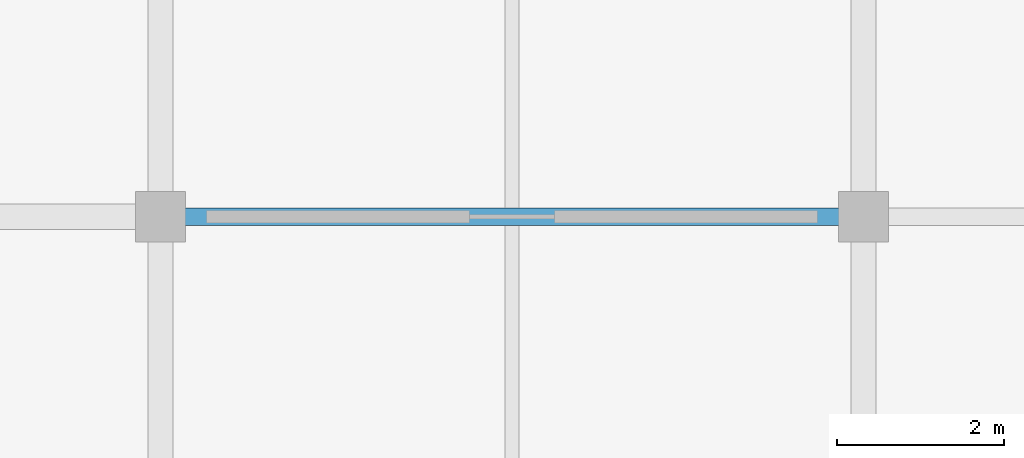
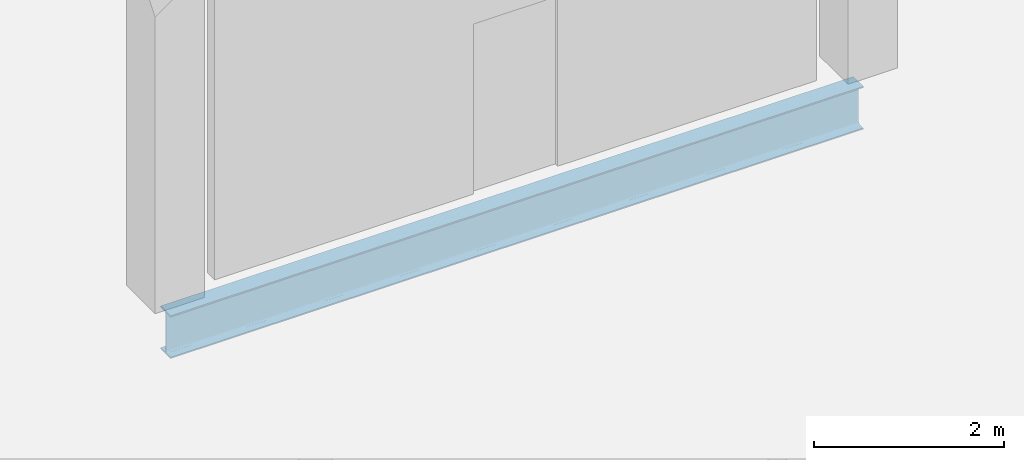
# One storey, part 91 of 130: 1 beam.
"""IFC4 building model written with IfcOpenShell, lengths in metres."""

from ifc_helpers import new_model, si_unit, direction, frame, origin, origin_2d, place, context, subcontext, project, spatial, i_section, extrude, material, material_profile, profile_set, type_object, element, save


model = new_model("IFC4")

# Units and contexts
model_context = context("Model", 3, precision=1e-05, world=origin(), true_north=direction((0.0, 1.0)))
body_context = subcontext(model_context, "Body", "Model", "MODEL_VIEW")
ifc_project = project(units=[si_unit("LENGTHUNIT", "METRE"), si_unit("AREAUNIT", "SQUARE_METRE"), si_unit("VOLUMEUNIT", "CUBIC_METRE"), si_unit("PLANEANGLEUNIT", "RADIAN"), si_unit("MASSUNIT", "GRAM", prefix="KILO")], contexts=[model_context])

# Site, building, storey
site_placement = place(None, origin())
site = spatial("IfcSite", under=ifc_project, at=site_placement, CompositionType="ELEMENT")
building_placement = place(site_placement, origin())
building = spatial("IfcBuilding", under=site, at=building_placement, Name="Veltarok Museum of Natural Sciences", CompositionType="ELEMENT")
storey_placement = place(building_placement, frame((0.0, 0.0, 12.89990234375)))
storey = spatial("IfcBuildingStorey", under=building, at=storey_placement, Name="L02", CompositionType="ELEMENT", Elevation=12.89990234375)

# Beam
ifc_material = material(Name="Steel S355J2", Category="steel")
ifc_material_profile = material_profile(ifc_material, i_section(OverallWidth=0.2099609375, OverallDepth=0.550048828125, WebThickness=0.010986328125, FlangeThickness=0.01708984375, FilletRadius=0.02392578125, at=origin_2d()), Name="IPE 550")
ifc_profile_set = profile_set([ifc_material_profile], Name="Steel S355J2")
beam_type = type_object("IfcBeamType", Name="Archive Heavy Girder IPE 550", PredefinedType="BEAM", material=ifc_profile_set)
beam_placement = place(storey_placement, frame((140.800048828125, 48.0, -0.52490234375), z_axis=(1.0, 0.0, 0.0), x_axis=(0.0, 1.0, 0.0)))
element("IfcBeam", 1, at=beam_placement, inside=storey, type_object=beam_type, Name="Beam BM-G03 L02 17-18/F", PredefinedType="BEAM", context=body_context, shape_type="SweptSolid", body=[
    extrude(i_section(OverallWidth=0.2099609375, OverallDepth=0.550048828125, WebThickness=0.010986328125, FlangeThickness=0.01708984375, FilletRadius=0.02392578125, at=origin_2d()), origin(), (0.0, 0.0, 1.0), 8.39990234375),
])

save(model, "model.ifc")
